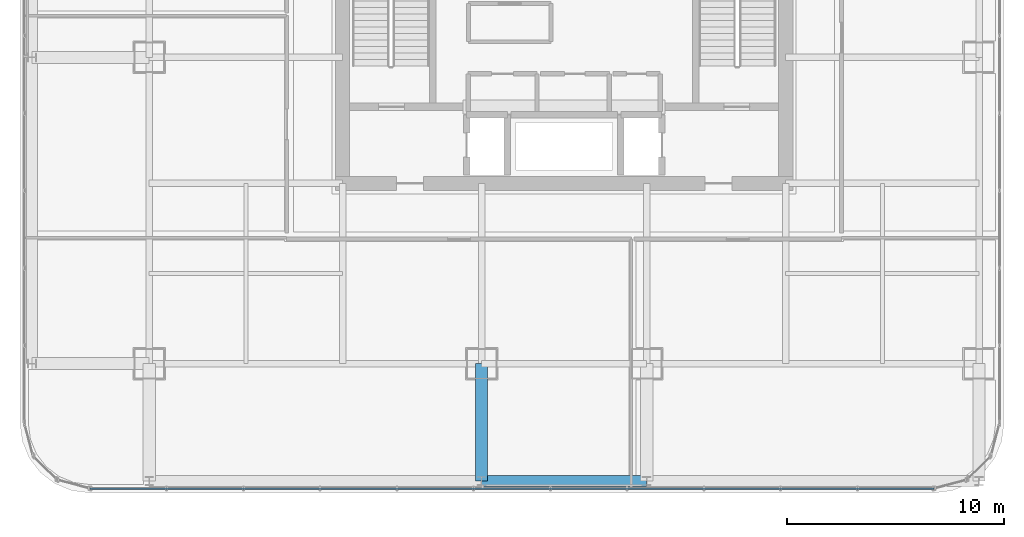
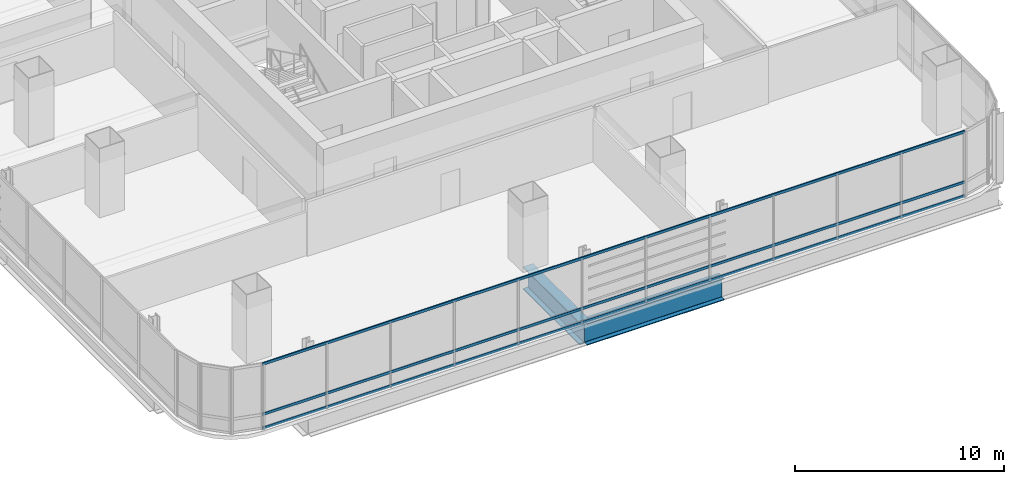
# One storey, part 7 of 36: 3 members, 2 beams, 1 element without a shape of its own.
"""IFC4 building model written with IfcOpenShell, lengths in metres."""

from ifc_helpers import new_model, si_unit, direction, frame, origin, origin_2d, place, context, subcontext, project, spatial, hollow_rectangle, i_section, extrude, material, material_profile, profile_set, type_object, element, aggregate, save


model = new_model("IFC4")

# Units and contexts
model_context = context("Model", 3, precision=1e-05, world=origin(), true_north=direction((0.0, 1.0)))
body_context = subcontext(model_context, "Body", "Model", "MODEL_VIEW")
ifc_project = project(units=[si_unit("LENGTHUNIT", "METRE"), si_unit("AREAUNIT", "SQUARE_METRE"), si_unit("VOLUMEUNIT", "CUBIC_METRE"), si_unit("PLANEANGLEUNIT", "RADIAN"), si_unit("MASSUNIT", "GRAM", prefix="KILO")], contexts=[model_context])

# Site, building, storey
site_placement = place(None, origin())
site = spatial("IfcSite", under=ifc_project, at=site_placement, CompositionType="ELEMENT")
building_placement = place(site_placement, origin())
building = spatial("IfcBuilding", under=site, at=building_placement, Name="Punatoya Terracotta Tower", CompositionType="ELEMENT")
storey_placement = place(building_placement, frame((0.0, 0.0, 184.35009765625)))
storey = spatial("IfcBuildingStorey", under=building, at=storey_placement, Name="L43", CompositionType="ELEMENT", Elevation=184.35009765625)

# Beams
ifc_material_1 = material(Name="Steel S460", Category="steel")
ifc_material_profile_1 = material_profile(ifc_material_1, i_section(OverallWidth=0.56005859375, OverallDepth=1.320068359375, WebThickness=0.035888671875, FlangeThickness=0.054931640625, FilletRadius=0.01806640625, at=origin_2d()))
ifc_profile_set_1 = profile_set([ifc_material_profile_1], Name="Steel S460")
beam_type_1 = type_object("IfcBeamType", Name="BM-TG-BLK", PredefinedType="BEAM", material=ifc_profile_set_1)
beam_1_placement = place(storey_placement, frame((-3.800048828125, -22.89990234375, -0.880126953125), z_axis=(0.0, 1.0, 0.0), x_axis=(-1.0, 0.0, 0.0)))
element("IfcBeam", 1, at=beam_1_placement, inside=storey, type_object=beam_type_1, Name="BM-L43-CANT-S2", PredefinedType="BEAM", context=body_context, shape_type="SweptSolid", body=[
    extrude(i_section(OverallWidth=0.56005859375, OverallDepth=1.320068359375, WebThickness=0.035888671875, FlangeThickness=0.054931640625, FilletRadius=0.01806640625, at=origin_2d()), origin(), (0.0, 0.0, 1.0), 5.39990234375),
])
ifc_material_profile_2 = material_profile(ifc_material_1, i_section(OverallWidth=0.52001953125, OverallDepth=1.280029296875, WebThickness=0.031982421875, FlangeThickness=0.050048828125, FilletRadius=0.01806640625, at=origin_2d()))
ifc_profile_set_2 = profile_set([ifc_material_profile_2], Name="Steel S460")
beam_type_2 = type_object("IfcBeamType", Name="BM-TG-NCK", PredefinedType="BEAM", material=ifc_profile_set_2)
beam_2_placement = place(storey_placement, frame((-3.800048828125, -22.89990234375, -0.860107421875), z_axis=(1.0, 0.0, 0.0), x_axis=(0.0, 1.0, 0.0)))
element("IfcBeam", 2, at=beam_2_placement, inside=storey, type_object=beam_type_2, Name="BM-L43-PER-S2", PredefinedType="BEAM", context=body_context, shape_type="SweptSolid", body=[
    extrude(i_section(OverallWidth=0.52001953125, OverallDepth=1.280029296875, WebThickness=0.031982421875, FlangeThickness=0.050048828125, FilletRadius=0.01806640625, at=origin_2d()), origin(), (0.0, 0.0, 1.0), 7.60009765625),
])

# Curtain wall, members
ifc_material_2 = material(Name="Aluminium 6063-T6 + Double Low-E Glass", Category="aluminium")
curtain_wall_type = type_object("IfcCurtainWallType", Name="CW-M2", PredefinedType="NOTDEFINED", material=ifc_material_2)
curtain_wall_placement = place(storey_placement, origin())
curtain_wall = element("IfcCurtainWall", 3, at=curtain_wall_placement, inside=storey, type_object=curtain_wall_type, Name="L43 Curtain Wall CW-L43-S01-1", PredefinedType="NOTDEFINED")
ifc_material_3 = material(Name="Aluminium 6063-T6", Category="aluminium")
ifc_material_profile_3 = material_profile(ifc_material_3, hollow_rectangle(XDim=0.068115234375, YDim=0.14990234375, WallThickness=0.00390625, at=origin_2d()))
ifc_profile_set_3 = profile_set([ifc_material_profile_3], Name="Aluminium 6063-T6")
member_type = type_object("IfcMemberType", Name="CW-TRN-TYP", PredefinedType="USERDEFINED", material=ifc_profile_set_3)
member_1_placement = place(storey_placement, frame((-21.8369140625, -23.25, 0.039794921875), z_axis=(1.0, 0.0, 0.0), x_axis=(0.0, 1.0, 0.0)))
member_1 = element("IfcMember", 4, at=member_1_placement, type_object=member_type, Name="CW-L43-S01-1 Transom 1", ObjectType="TRANSOM", PredefinedType="USERDEFINED", context=body_context, shape_type="SweptSolid", body=[
    extrude(hollow_rectangle(XDim=0.068115234375, YDim=0.14990234375, WallThickness=0.00390625, at=origin_2d()), origin(), (0.0, 0.0, 1.0), 38.873779296875),
])
member_2_placement = place(storey_placement, frame((-21.8369140625, -23.25, 0.849853515625), z_axis=(1.0, 0.0, 0.0), x_axis=(0.0, 1.0, 0.0)))
member_2 = element("IfcMember", 5, at=member_2_placement, type_object=member_type, Name="CW-L43-S01-1 Transom 2", ObjectType="TRANSOM", PredefinedType="USERDEFINED", context=body_context, shape_type="SweptSolid", body=[
    extrude(hollow_rectangle(XDim=0.068115234375, YDim=0.14990234375, WallThickness=0.00390625, at=origin_2d()), origin(), (0.0, 0.0, 1.0), 38.873779296875),
])
member_3_placement = place(storey_placement, frame((-21.8369140625, -23.25, 3.789794921875), z_axis=(1.0, 0.0, 0.0), x_axis=(0.0, 1.0, 0.0)))
member_3 = element("IfcMember", 6, at=member_3_placement, type_object=member_type, Name="CW-L43-S01-1 Transom 3", ObjectType="TRANSOM", PredefinedType="USERDEFINED", context=body_context, shape_type="SweptSolid", body=[
    extrude(hollow_rectangle(XDim=0.068115234375, YDim=0.14990234375, WallThickness=0.00390625, at=origin_2d()), origin(), (0.0, 0.0, 1.0), 38.873779296875),
])
aggregate(curtain_wall, [member_1, member_2, member_3])

save(model, "model.ifc")
